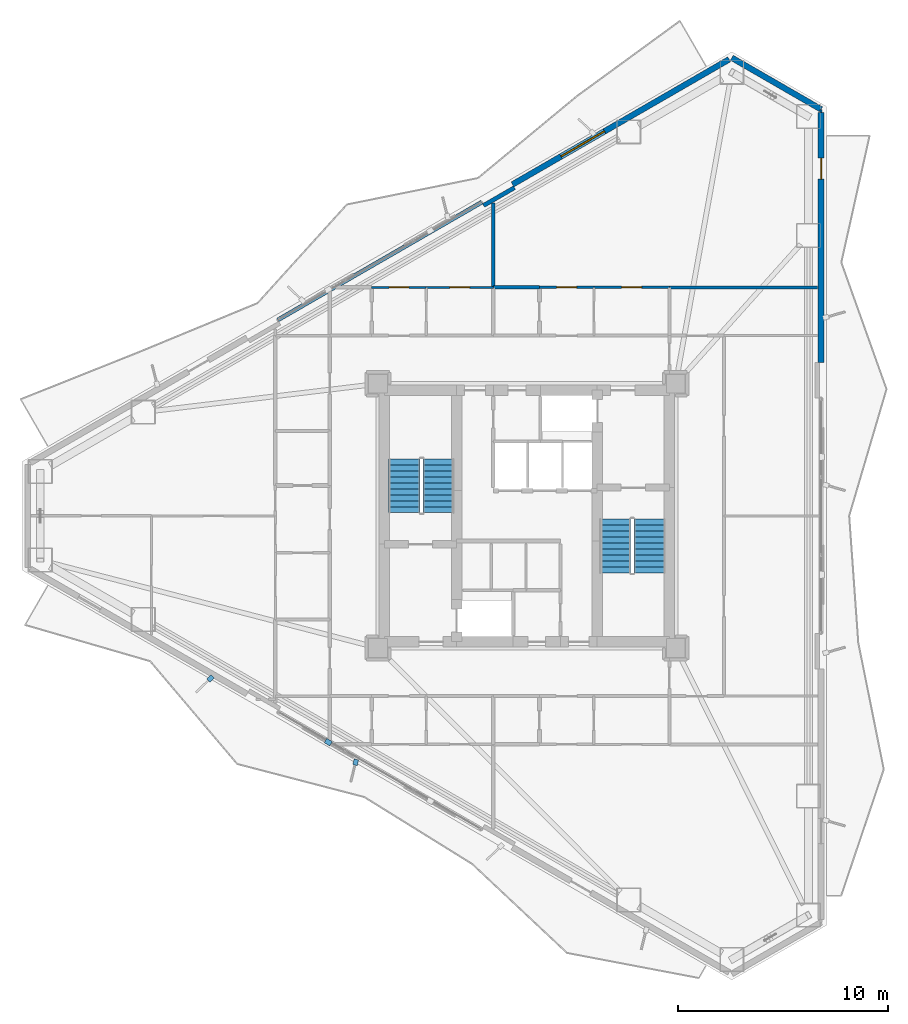
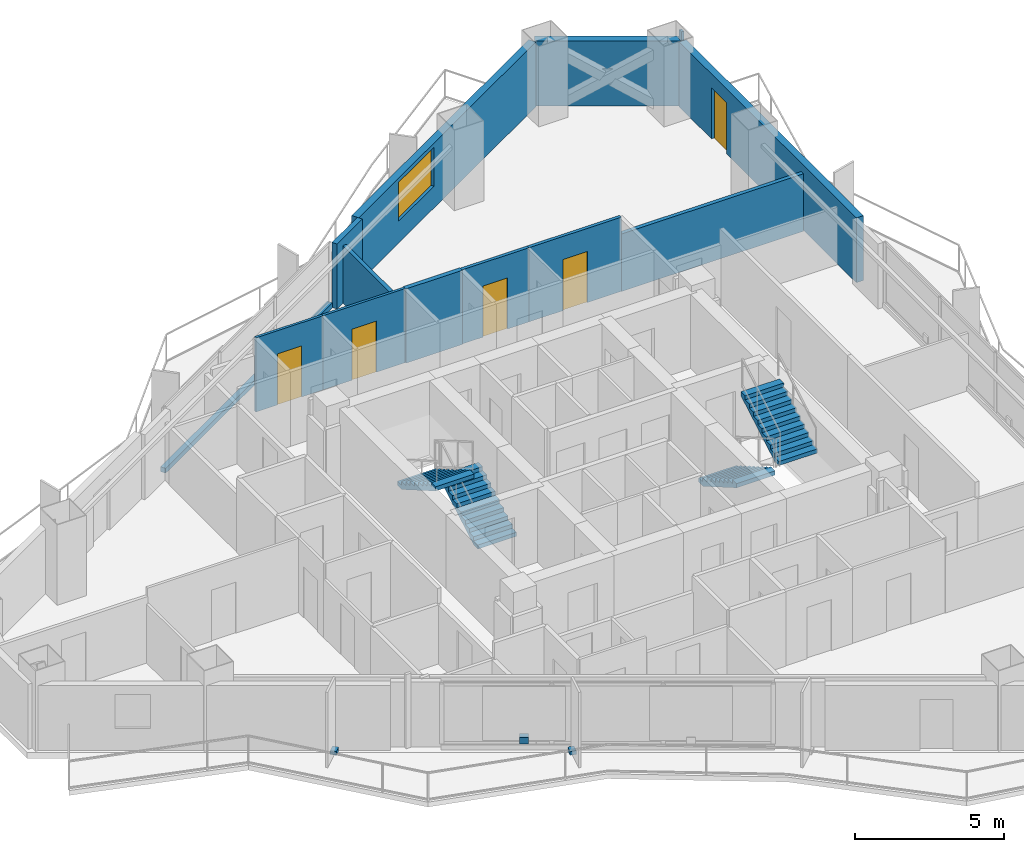
# One storey, part 20 of 23: 13 walls, 5 doors, 4 stair flights, 3 discrete accessories, 1 window, 6 openings, 2 elements without a shape of their own.
"""IFC4 building model written with IfcOpenShell, lengths in metres."""

from ifc_helpers import new_model, si_unit, direction, frame, frame_2d, origin, origin_2d, place, context, subcontext, project, spatial, polyline, rectangle, outline, extrude, material, layer, layer_set, type_object, element, fill, aggregate, save


model = new_model("IFC4")

# Units and contexts
model_context = context("Model", 3, precision=1e-05, world=origin(), true_north=direction((0.0, 1.0)))
body_context = subcontext(model_context, "Body", "Model", "MODEL_VIEW")
ifc_project = project(units=[si_unit("LENGTHUNIT", "METRE"), si_unit("AREAUNIT", "SQUARE_METRE"), si_unit("VOLUMEUNIT", "CUBIC_METRE"), si_unit("PLANEANGLEUNIT", "RADIAN"), si_unit("MASSUNIT", "GRAM", prefix="KILO")], contexts=[model_context])

# Site, building, storey
site_placement = place(None, origin())
site = spatial("IfcSite", under=ifc_project, at=site_placement, CompositionType="ELEMENT")
building_placement = place(site_placement, origin())
building = spatial("IfcBuilding", under=site, at=building_placement, Name="Mersakhor Tower and Convention Hall", CompositionType="ELEMENT")
storey_placement = place(building_placement, frame((0.0, 0.0, 93.300048828125)))
storey = spatial("IfcBuildingStorey", under=building, at=storey_placement, Name="L25", CompositionType="ELEMENT", Elevation=93.300048828125)

# Wall
ifc_material_1 = material(Name="Precast concrete C45/55", Category="concrete")
ifc_layer_1 = layer(ifc_material_1, 0.27490234375)
ifc_layer_set_1 = layer_set([ifc_layer_1], Name="Precast concrete C45/55")
wall_type_1 = type_object("IfcWallType", Name="WL-EXT-275", PredefinedType="SOLIDWALL", material=ifc_layer_set_1)
wall_1_placement = place(storey_placement, frame((38.77880859375, 48.6015625, 0.0), z_axis=(0.0, 0.0, 1.0), x_axis=(0.866011848704, -0.500023477353, 0.0)))
element("IfcWall", 1, at=wall_1_placement, inside=storey, type_object=wall_type_1, Name="L25 Chamfer Braced Spandrel Wall C1", PredefinedType="SOLIDWALL", context=body_context, shape_type="SweptSolid", body=[
    extrude(rectangle(XDim=4.914306640625, YDim=0.27490234375, at=frame_2d((2.45703125, 0.0))), origin(), (0.0, 0.0, 1.0), 2.669921875),
])

# Wall, opening, window
wall_2_placement = place(storey_placement, frame((28.3173828125, 42.561767578125, 0.0), z_axis=(0.0, 0.0, 1.0), x_axis=(0.866023023012, 0.500004123596, 0.0)))
wall_2 = element("IfcWall", 2, at=wall_2_placement, inside=storey, type_object=wall_type_1, Name="L25 Exterior Facade Wall F1-B3", PredefinedType="SOLIDWALL", context=body_context, shape_type="SweptSolid", body=[
    extrude(rectangle(XDim=11.9296875, YDim=0.27490234375, at=frame_2d((5.96484375, 0.0))), origin(), (0.0, 0.0, 1.0), 2.669921875),
])
opening_1_placement = place(wall_2_placement, frame((2.66796875, 0.0, 0.89990234375)))
opening_1 = element("IfcOpeningElement", 3, at=opening_1_placement, cuts=wall_2, Name="Opening W-05", PredefinedType="OPENING", context=body_context, shape_type="SweptSolid", body=[
    extrude(rectangle(XDim=2.39990234375, YDim=1.60009765625, at=frame_2d((1.199951171875, 0.800048828125))), frame((0.0, 0.1474609375, 0.0), z_axis=(0.0, -1.0, 0.0), x_axis=(1.0, 0.0, 0.0)), (0.0, 0.0, 1.0), 0.294921875),
])
ifc_material_2 = material(Name="Dark solar low-E glazed aluminium window", Category="aluminium")
window_type = type_object("IfcWindowType", Name="WN-RES-240x160", PartitioningType="SINGLE_PANEL", PredefinedType="WINDOW", material=ifc_material_2)
window_placement = place(opening_1_placement, origin())
window = element("IfcWindow", 4, at=window_placement, inside=storey, type_object=window_type, Name="L25 Facade Punched Window F1-B3", OverallHeight=1.60009765625, OverallWidth=2.39990234375, PartitioningType="SINGLE_PANEL", PredefinedType="WINDOW", context=body_context, shape_type="SweptSolid", body=[
    extrude(rectangle(XDim=2.39990234375, YDim=1.60009765625, at=frame_2d((1.199951171875, 0.800048828125))), frame((0.0, 0.030029296875, 0.0), z_axis=(0.0, -1.0, 0.0), x_axis=(1.0, 0.0, 0.0)), (0.0, 0.0, 1.0), 0.06005859375),
])
fill(opening_1, window)

# Wall, opening, door
wall_3_placement = place(storey_placement, frame((43.03466796875, 45.994384765625, 0.0), z_axis=(0.0, 0.0, 1.0), x_axis=(0.0, -1.0, 0.0)))
wall_3 = element("IfcWall", 5, at=wall_3_placement, inside=storey, type_object=wall_type_1, Name="L25 Exterior Facade Wall F2-B1", PredefinedType="SOLIDWALL", context=body_context, shape_type="SweptSolid", body=[
    extrude(rectangle(XDim=11.9296875, YDim=0.27490234375, at=frame_2d((5.96484375, 0.0))), origin(), (0.0, 0.0, 1.0), 2.669921875),
])
opening_2_placement = place(wall_3_placement, frame((2.176025390625, 0.0, 0.0)))
opening_2 = element("IfcOpeningElement", 6, at=opening_2_placement, cuts=wall_3, Name="Opening BD-01", PredefinedType="OPENING", context=body_context, shape_type="SweptSolid", body=[
    extrude(rectangle(XDim=1.0, YDim=2.10009765625, at=frame_2d((0.5, 1.050048828125))), frame((0.0, 0.1474609375, 0.0), z_axis=(0.0, -1.0, 0.0), x_axis=(1.0, 0.0, 0.0)), (0.0, 0.0, 1.0), 0.294921875),
])
ifc_material_3 = material(Name="Thermally broken dark aluminium and safety glass", Category="aluminium")
door_type_1 = type_object("IfcDoorType", Name="DR-BAL-100x210", OperationType="NOTDEFINED", PredefinedType="DOOR", material=ifc_material_3)
door_1_placement = place(opening_2_placement, origin())
door_1 = element("IfcDoor", 7, at=door_1_placement, inside=storey, type_object=door_type_1, Name="L25 Balcony Terrace Door F2-B1", OperationType="SINGLE_SWING_LEFT", OverallHeight=2.10009765625, OverallWidth=1.0, PredefinedType="DOOR", context=body_context, shape_type="SweptSolid", body=[
    extrude(rectangle(XDim=1.0, YDim=2.10009765625, at=frame_2d((0.5, 1.050048828125))), frame((0.0, 0.02490234375, 0.0), z_axis=(0.0, -1.0, 0.0), x_axis=(1.0, 0.0, 0.0)), (0.0, 0.0, 1.0), 0.050048828125),
])
fill(opening_2, door_1)

# Walls
ifc_material_4 = material(Name="Precast concrete C40/50", Category="concrete")
ifc_layer_2 = layer(ifc_material_4, 0.199951171875)
ifc_layer_set_2 = layer_set([ifc_layer_2], Name="Precast concrete C40/50")
wall_type_2 = type_object("IfcWallType", Name="WL-PAR-200", PredefinedType="PARAPET", material=ifc_layer_set_2)
wall_4_placement = place(storey_placement, frame((17.1201171875, 36.096923828125, 0.0), z_axis=(0.0, 0.0, 1.0), x_axis=(0.866027010039, 0.499997217876, 0.0)))
element("IfcWall", 8, at=wall_4_placement, inside=storey, type_object=wall_type_2, Name="L25 Curtain Wall Upstand Sill F1-B2", PredefinedType="PARAPET", context=body_context, shape_type="SweptSolid", body=[
    extrude(rectangle(XDim=11.2294921875, YDim=0.199951171875, at=frame_2d((5.61474609375, 0.0))), origin(), (0.0, 0.0, 1.0), 0.199951171875),
])
wall_5_placement = place(storey_placement, frame((26.935302734375, 41.555908203125, 0.0), z_axis=(0.0, 0.0, 1.0), x_axis=(0.86605165483, 0.499954529098, 0.0)))
element("IfcWall", 9, at=wall_5_placement, inside=storey, type_object=wall_type_2, Name="L25 Column Pier Cladding Wall F1-C2", PredefinedType="PARAPET", context=body_context, shape_type="SweptSolid", body=[
    extrude(rectangle(XDim=1.699951171875, YDim=0.199951171875, at=frame_2d((0.85009765625, 0.0))), origin(), (0.0, 0.0, 1.0), 2.669921875),
])
ifc_material_5 = material(Name="Moisture-resistant acoustic drywall studwork", Category="other")
ifc_layer_3 = layer(ifc_material_5, 0.175048828125)
ifc_layer_set_3 = layer_set([ifc_layer_3], Name="Moisture-resistant acoustic drywall studwork")
wall_type_3 = type_object("IfcWallType", Name="WL-PLM-175", PredefinedType="PLUMBINGWALL", material=ifc_layer_set_3)
wall_6_placement = place(storey_placement, frame((27.39990234375, 37.64990234375, 0.0), z_axis=(0.0, 0.0, 1.0), x_axis=(1.0, 0.0, 0.0)))
element("IfcWall", 10, at=wall_6_placement, inside=storey, type_object=wall_type_3, Name="L25 Interior Partition Wall P-080", PredefinedType="PLUMBINGWALL", context=body_context, shape_type="SweptSolid", body=[
    extrude(rectangle(XDim=2.2001953125, YDim=0.175048828125, at=frame_2d((1.10009765625, 0.0))), origin(), (0.0, 0.0, 1.0), 3.050048828125),
])

# Wall, opening, door
ifc_material_6 = material(Name="Lightweight gypsum partition", Category="other")
ifc_layer_4 = layer(ifc_material_6, 0.10009765625)
ifc_layer_set_4 = layer_set([ifc_layer_4], Name="Lightweight gypsum partition")
wall_type_4 = type_object("IfcWallType", Name="WL-PRT-100", PredefinedType="PARTITIONING", material=ifc_layer_set_4)
wall_7_placement = place(storey_placement, frame((21.60009765625, 37.64990234375, 0.0), z_axis=(0.0, 0.0, 1.0), x_axis=(1.0, 0.0, 0.0)))
wall_7 = element("IfcWall", 11, at=wall_7_placement, inside=storey, type_object=wall_type_4, Name="L25 Interior Partition Wall P-060", PredefinedType="PARTITIONING", context=body_context, shape_type="SweptSolid", body=[
    extrude(rectangle(XDim=2.599853515625, YDim=0.10009765625, at=frame_2d((1.2998046875, 0.0))), origin(), (0.0, 0.0, 1.0), 3.050048828125),
])
opening_3_placement = place(wall_7_placement, frame((0.824951171875, 0.0, 0.0)))
opening_3 = element("IfcOpeningElement", 12, at=opening_3_placement, cuts=wall_7, Name="Opening RD-01", PredefinedType="OPENING", context=body_context, shape_type="SweptSolid", body=[
    extrude(rectangle(XDim=0.949951171875, YDim=2.10009765625, at=frame_2d((0.47509765625, 1.050048828125))), frame((0.0, 0.06005859375, 0.0), z_axis=(0.0, -1.0, 0.0), x_axis=(1.0, 0.0, 0.0)), (0.0, 0.0, 1.0), 0.1201171875),
])
ifc_material_7 = material(Name="Solid-core hardwood leaf in painted steel frame", Category="steel")
door_type_2 = type_object("IfcDoorType", Name="DR-INT-RM-095x210", OperationType="NOTDEFINED", PredefinedType="DOOR", material=ifc_material_7)
door_2_placement = place(opening_3_placement, origin())
door_2 = element("IfcDoor", 13, at=door_2_placement, inside=storey, type_object=door_type_2, Name="L25 L25 Flat N1 Apartment Hall to L25 Flat N1 Studio Living and Sleeping Room Door", OperationType="SINGLE_SWING_LEFT", OverallHeight=2.10009765625, OverallWidth=0.949951171875, PredefinedType="DOOR", context=body_context, shape_type="SweptSolid", body=[
    extrude(rectangle(XDim=0.949951171875, YDim=2.10009765625, at=frame_2d((0.47509765625, 1.050048828125))), frame((0.0, 0.02490234375, 0.0), z_axis=(0.0, -1.0, 0.0), x_axis=(1.0, 0.0, 0.0)), (0.0, 0.0, 1.0), 0.050048828125),
])
fill(opening_3, door_2)

wall_8_placement = place(storey_placement, frame((24.199951171875, 37.64990234375, 0.0), z_axis=(0.0, 0.0, 1.0), x_axis=(1.0, 0.0, 0.0)))
wall_8 = element("IfcWall", 14, at=wall_8_placement, inside=storey, type_object=wall_type_4, Name="L25 Interior Partition Wall P-078", PredefinedType="PARTITIONING", context=body_context, shape_type="SweptSolid", body=[
    extrude(rectangle(XDim=3.199951171875, YDim=0.10009765625, at=frame_2d((1.60009765625, 0.0))), origin(), (0.0, 0.0, 1.0), 3.050048828125),
])
opening_4_placement = place(wall_8_placement, frame((1.125, 0.0, 0.0)))
opening_4 = element("IfcOpeningElement", 15, at=opening_4_placement, cuts=wall_8, Name="Opening RD-01", PredefinedType="OPENING", context=body_context, shape_type="SweptSolid", body=[
    extrude(rectangle(XDim=0.949951171875, YDim=2.10009765625, at=frame_2d((0.47509765625, 1.050048828125))), frame((0.0, 0.06005859375, 0.0), z_axis=(0.0, -1.0, 0.0), x_axis=(1.0, 0.0, 0.0)), (0.0, 0.0, 1.0), 0.1201171875),
])
door_3_placement = place(opening_4_placement, origin())
door_3 = element("IfcDoor", 16, at=door_3_placement, inside=storey, type_object=door_type_2, Name="L25 L25 Flat N1 Kitchen to L25 Flat N1 Studio Living and Sleeping Room Door", OperationType="SINGLE_SWING_LEFT", OverallHeight=2.10009765625, OverallWidth=0.949951171875, PredefinedType="DOOR", context=body_context, shape_type="SweptSolid", body=[
    extrude(rectangle(XDim=0.949951171875, YDim=2.10009765625, at=frame_2d((0.47509765625, 1.050048828125))), frame((0.0, 0.02490234375, 0.0), z_axis=(0.0, -1.0, 0.0), x_axis=(1.0, 0.0, 0.0)), (0.0, 0.0, 1.0), 0.050048828125),
])
fill(opening_4, door_3)

# Wall
wall_9_placement = place(storey_placement, frame((43.034912109375, 46.14404296875, 0.0), z_axis=(0.0, 0.0, 1.0), x_axis=(0.0, -1.0, 0.0)))
element("IfcWall", 17, at=wall_9_placement, inside=storey, type_object=wall_type_4, Name="L25 Interior Partition Wall P-104", PredefinedType="PARTITIONING", context=body_context, shape_type="SweptSolid", body=[
    extrude(rectangle(XDim=0.149658203125, YDim=0.10009765625, at=frame_2d((0.07470703125, 0.0))), origin(), (0.0, 0.0, 1.0), 3.050048828125),
])

# Wall, opening, door
ifc_material_8 = material(Name="Gypsum board acoustic partition", Category="other")
ifc_layer_5 = layer(ifc_material_8, 0.125)
ifc_layer_set_5 = layer_set([ifc_layer_5], Name="Gypsum board acoustic partition")
wall_type_5 = type_object("IfcWallType", Name="WL-PRT-125", PredefinedType="PARTITIONING", material=ifc_layer_set_5)
wall_10_placement = place(storey_placement, frame((29.60009765625, 37.64990234375, 0.0), z_axis=(0.0, 0.0, 1.0), x_axis=(1.0, 0.0, 0.0)))
wall_10 = element("IfcWall", 18, at=wall_10_placement, inside=storey, type_object=wall_type_5, Name="L25 Interior Partition Wall P-063", PredefinedType="PARTITIONING", context=body_context, shape_type="SweptSolid", body=[
    extrude(rectangle(XDim=2.599853515625, YDim=0.125, at=frame_2d((1.2998046875, 0.0))), origin(), (0.0, 0.0, 1.0), 3.050048828125),
])
opening_5_placement = place(wall_10_placement, frame((0.824951171875, 0.0, 0.0)))
opening_5 = element("IfcOpeningElement", 19, at=opening_5_placement, cuts=wall_10, Name="Opening RD-01", PredefinedType="OPENING", context=body_context, shape_type="SweptSolid", body=[
    extrude(rectangle(XDim=0.949951171875, YDim=2.10009765625, at=frame_2d((0.47509765625, 1.050048828125))), frame((0.0, 0.072509765625, 0.0), z_axis=(0.0, -1.0, 0.0), x_axis=(1.0, 0.0, 0.0)), (0.0, 0.0, 1.0), 0.14501953125),
])
door_4_placement = place(opening_5_placement, origin())
door_4 = element("IfcDoor", 20, at=door_4_placement, inside=storey, type_object=door_type_2, Name="L25 L25 Flat N2 Apartment Hall to L25 Flat N2 Studio Living and Sleeping Room Door", OperationType="SINGLE_SWING_RIGHT", OverallHeight=2.10009765625, OverallWidth=0.949951171875, PredefinedType="DOOR", context=body_context, shape_type="SweptSolid", body=[
    extrude(rectangle(XDim=0.949951171875, YDim=2.10009765625, at=frame_2d((0.47509765625, 1.050048828125))), frame((0.0, 0.02490234375, 0.0), z_axis=(0.0, -1.0, 0.0), x_axis=(1.0, 0.0, 0.0)), (0.0, 0.0, 1.0), 0.050048828125),
])
fill(opening_5, door_4)

wall_11_placement = place(storey_placement, frame((32.199951171875, 37.64990234375, 0.0), z_axis=(0.0, 0.0, 1.0), x_axis=(1.0, 0.0, 0.0)))
wall_11 = element("IfcWall", 21, at=wall_11_placement, inside=storey, type_object=wall_type_5, Name="L25 Interior Partition Wall P-081", PredefinedType="PARTITIONING", context=body_context, shape_type="SweptSolid", body=[
    extrude(rectangle(XDim=3.60009765625, YDim=0.125, at=frame_2d((1.800048828125, 0.0))), origin(), (0.0, 0.0, 1.0), 3.050048828125),
])
opening_6_placement = place(wall_11_placement, frame((1.324951171875, 0.0, 0.0)))
opening_6 = element("IfcOpeningElement", 22, at=opening_6_placement, cuts=wall_11, Name="Opening RD-01", PredefinedType="OPENING", context=body_context, shape_type="SweptSolid", body=[
    extrude(rectangle(XDim=0.949951171875, YDim=2.10009765625, at=frame_2d((0.47509765625, 1.050048828125))), frame((0.0, 0.072509765625, 0.0), z_axis=(0.0, -1.0, 0.0), x_axis=(1.0, 0.0, 0.0)), (0.0, 0.0, 1.0), 0.14501953125),
])
door_5_placement = place(opening_6_placement, origin())
door_5 = element("IfcDoor", 23, at=door_5_placement, inside=storey, type_object=door_type_2, Name="L25 L25 Flat N2 Kitchen to L25 Flat N2 Studio Living and Sleeping Room Door", OperationType="SINGLE_SWING_RIGHT", OverallHeight=2.10009765625, OverallWidth=0.949951171875, PredefinedType="DOOR", context=body_context, shape_type="SweptSolid", body=[
    extrude(rectangle(XDim=0.949951171875, YDim=2.10009765625, at=frame_2d((0.47509765625, 1.050048828125))), frame((0.0, 0.02490234375, 0.0), z_axis=(0.0, -1.0, 0.0), x_axis=(1.0, 0.0, 0.0)), (0.0, 0.0, 1.0), 0.050048828125),
])
fill(opening_6, door_5)

# Walls
ifc_material_9 = material(Name="Fire-rated gypsum board stud partition", Category="other")
ifc_layer_6 = layer(ifc_material_9, 0.14990234375)
ifc_layer_set_6 = layer_set([ifc_layer_6], Name="Fire-rated gypsum board stud partition")
wall_type_6 = type_object("IfcWallType", Name="WL-PRT-150", PredefinedType="PARTITIONING", material=ifc_layer_set_6)
wall_12_placement = place(storey_placement, frame((35.800048828125, 37.64990234375, 0.0), z_axis=(0.0, 0.0, 1.0), x_axis=(1.0, 0.0, 0.0)))
element("IfcWall", 24, at=wall_12_placement, inside=storey, type_object=wall_type_6, Name="L25 Interior Partition Wall P-095", PredefinedType="PARTITIONING", context=body_context, shape_type="SweptSolid", body=[
    extrude(rectangle(XDim=7.072998046875, YDim=0.14990234375, at=frame_2d((3.53662109375, 0.0))), origin(), (0.0, 0.0, 1.0), 2.364990234375),
])
wall_13_placement = place(storey_placement, frame((27.39990234375, 41.680908203125, 0.0), z_axis=(0.0, 0.0, 1.0), x_axis=(0.0, -1.0, 0.0)))
element("IfcWall", 25, at=wall_13_placement, inside=storey, type_object=wall_type_6, Name="L25 Interior Partition Wall P-103", PredefinedType="PARTITIONING", context=body_context, shape_type="SweptSolid", body=[
    extrude(rectangle(XDim=4.031005859375, YDim=0.14990234375, at=frame_2d((2.015625, 0.0))), origin(), (0.0, 0.0, 1.0), 2.364990234375),
])

# Stair, stair flights
ifc_material_10 = material(Name="Concrete C45/55", Category="concrete")
stair_type = type_object("IfcStairType", Name="ST-TWR-20R", PredefinedType="HALF_TURN_STAIR", material=ifc_material_10)
stair_1_placement = place(storey_placement, origin())
stair_1 = element("IfcStair", 26, at=stair_1_placement, inside=storey, type_object=stair_type, Name="L25 Tower Protected Exit Stair ST-1", PredefinedType="HALF_TURN_STAIR")
ifc_material_11 = material(Name="Concrete C45/55", Category="concrete")
stair_flight_type = type_object("IfcStairFlightType", Name="SFL-TWR-20R", PredefinedType="STRAIGHT", material=ifc_material_11)
stair_flight_1_placement = place(storey_placement, frame((24.800048828125, 26.89990234375, 0.0), z_axis=(0.0, 0.0, 1.0), x_axis=(0.0, 1.0, 0.0)))
stair_flight_1 = element("IfcStairFlight", 27, at=stair_flight_1_placement, type_object=stair_flight_type, Name="ST-1 flight 1", NumberOfRisers=10, NumberOfTreads=9, PredefinedType="STRAIGHT", RiserHeight=0.165, TreadLength=0.285, context=body_context, shape_type="SweptSolid", body=[
    extrude(outline(polyline([(0.0, 0.0), (0.0, 0.1650390625), (0.284912109375, 0.1650390625), (0.284912109375, 0.330078125), (0.570068359375, 0.330078125), (0.570068359375, 0.4951171875), (0.85498046875, 0.4951171875), (0.85498046875, 0.659912109375), (1.139892578125, 0.659912109375), (1.139892578125, 0.824951171875), (1.425048828125, 0.824951171875), (1.425048828125, 0.989990234375), (1.7099609375, 0.989990234375), (1.7099609375, 1.155029296875), (1.9951171875, 1.155029296875), (1.9951171875, 1.320068359375), (2.280029296875, 1.320068359375), (2.280029296875, 1.485107421875), (2.56494140625, 1.485107421875), (2.56494140625, 1.64990234375), (2.56494140625, 1.311767578125), (0.299072265625, 0.0), (0.0, 0.0)])), frame((0.0, 0.75, 0.0), z_axis=(0.0, -1.0, 0.0), x_axis=(1.0, 0.0, 0.0)), (0.0, 0.0, 1.0), 1.5),
])
stair_flight_2_placement = place(storey_placement, frame((23.14990234375, 29.465087890625, 1.64990234375), z_axis=(0.0, 0.0, 1.0), x_axis=(0.0, -1.0, 0.0)))
stair_flight_2 = element("IfcStairFlight", 28, at=stair_flight_2_placement, type_object=stair_flight_type, Name="ST-1 flight 2", NumberOfRisers=10, NumberOfTreads=9, PredefinedType="STRAIGHT", RiserHeight=0.165, TreadLength=0.285, context=body_context, shape_type="SweptSolid", body=[
    extrude(outline(polyline([(0.0, 0.0), (0.0, 0.1650390625), (0.284912109375, 0.1650390625), (0.284912109375, 0.330078125), (0.570068359375, 0.330078125), (0.570068359375, 0.4951171875), (0.85498046875, 0.4951171875), (0.85498046875, 0.659912109375), (1.139892578125, 0.659912109375), (1.139892578125, 0.824951171875), (1.425048828125, 0.824951171875), (1.425048828125, 0.989990234375), (1.7099609375, 0.989990234375), (1.7099609375, 1.155029296875), (1.9951171875, 1.155029296875), (1.9951171875, 1.320068359375), (2.280029296875, 1.320068359375), (2.280029296875, 1.485107421875), (2.56494140625, 1.485107421875), (2.56494140625, 1.64990234375), (2.56494140625, 1.311767578125), (0.299072265625, 0.0), (0.0, 0.0)])), frame((0.0, 0.75, 0.0), z_axis=(0.0, -1.0, 0.0), x_axis=(1.0, 0.0, 0.0)), (0.0, 0.0, 1.0), 1.5),
])
aggregate(stair_1, [stair_flight_1, stair_flight_2])

stair_2_placement = place(storey_placement, origin())
stair_2 = element("IfcStair", 29, at=stair_2_placement, inside=storey, type_object=stair_type, Name="L25 Tower Protected Exit Stair ST-2", PredefinedType="HALF_TURN_STAIR")
stair_flight_3_placement = place(storey_placement, frame((33.199951171875, 26.60009765625, 0.0), z_axis=(0.0, 0.0, 1.0), x_axis=(0.0, -1.0, 0.0)))
stair_flight_3 = element("IfcStairFlight", 30, at=stair_flight_3_placement, type_object=stair_flight_type, Name="ST-2 flight 1", NumberOfRisers=10, NumberOfTreads=9, PredefinedType="STRAIGHT", RiserHeight=0.165, TreadLength=0.285, context=body_context, shape_type="SweptSolid", body=[
    extrude(outline(polyline([(0.0, 0.0), (0.0, 0.1650390625), (0.284912109375, 0.1650390625), (0.284912109375, 0.330078125), (0.570068359375, 0.330078125), (0.570068359375, 0.4951171875), (0.85498046875, 0.4951171875), (0.85498046875, 0.659912109375), (1.139892578125, 0.659912109375), (1.139892578125, 0.824951171875), (1.425048828125, 0.824951171875), (1.425048828125, 0.989990234375), (1.7099609375, 0.989990234375), (1.7099609375, 1.155029296875), (1.9951171875, 1.155029296875), (1.9951171875, 1.320068359375), (2.280029296875, 1.320068359375), (2.280029296875, 1.485107421875), (2.56494140625, 1.485107421875), (2.56494140625, 1.64990234375), (2.56494140625, 1.311767578125), (0.299072265625, 0.0), (0.0, 0.0)])), frame((0.0, 0.75, 0.0), z_axis=(0.0, -1.0, 0.0), x_axis=(1.0, 0.0, 0.0)), (0.0, 0.0, 1.0), 1.5),
])
stair_flight_4_placement = place(storey_placement, frame((34.85009765625, 24.034912109375, 1.64990234375), z_axis=(0.0, 0.0, 1.0), x_axis=(0.0, 1.0, 0.0)))
stair_flight_4 = element("IfcStairFlight", 31, at=stair_flight_4_placement, type_object=stair_flight_type, Name="ST-2 flight 2", NumberOfRisers=10, NumberOfTreads=9, PredefinedType="STRAIGHT", RiserHeight=0.165, TreadLength=0.285, context=body_context, shape_type="SweptSolid", body=[
    extrude(outline(polyline([(0.0, 0.0), (0.0, 0.1650390625), (0.284912109375, 0.1650390625), (0.284912109375, 0.330078125), (0.570068359375, 0.330078125), (0.570068359375, 0.4951171875), (0.85498046875, 0.4951171875), (0.85498046875, 0.659912109375), (1.139892578125, 0.659912109375), (1.139892578125, 0.824951171875), (1.425048828125, 0.824951171875), (1.425048828125, 0.989990234375), (1.7099609375, 0.989990234375), (1.7099609375, 1.155029296875), (1.9951171875, 1.155029296875), (1.9951171875, 1.320068359375), (2.280029296875, 1.320068359375), (2.280029296875, 1.485107421875), (2.56494140625, 1.485107421875), (2.56494140625, 1.64990234375), (2.56494140625, 1.311767578125), (0.299072265625, 0.0), (0.0, 0.0)])), frame((0.0, 0.75, 0.0), z_axis=(0.0, -1.0, 0.0), x_axis=(1.0, 0.0, 0.0)), (0.0, 0.0, 1.0), 1.5),
])
aggregate(stair_2, [stair_flight_3, stair_flight_4])

# Discrete accessories
ifc_material_12 = material(Name="Galvanised steel bracket", Category="steel")
ifc_layer_7 = layer(ifc_material_12, 0.02001953125)
ifc_layer_set_7 = layer_set([ifc_layer_7], Name="Galvanised steel bracket")
discrete_accessory_type = type_object("IfcDiscreteAccessoryType", Name="ACC-BRK-STL", PredefinedType="BRACKET", material=ifc_layer_set_7)
discrete_accessory_placement = place(storey_placement, frame((19.526611328125, 15.9560546875, 0.2900390625), z_axis=(0.0, 0.0, 1.0), x_axis=(-0.866025403784, 0.5, 0.0)))
element("IfcDiscreteAccessory", 32, at=discrete_accessory_placement, inside=storey, type_object=discrete_accessory_type, Name="L25 Solar Screen Outrigger Bracket BRK-3-2", PredefinedType="BRACKET", context=body_context, shape_type="SweptSolid", body=[
    extrude(rectangle(XDim=0.300048828125, YDim=0.239990234375, at=origin_2d()), origin(), (0.0, 0.0, 1.0), 0.260009765625),
])
for number, where, z_axis, x_axis, name in (
    (33, (20.8330078125, 14.993896484375, -0.02001953125), (0.0, 0.0, 1.0), (-0.2419218956, -0.970295726276, 0.0), "L25 Facade Fin Base Cleat Bracket FBRK-3-3"),
    (34, (13.90478515625, 18.993896484375, -0.02001953125), (0.0, 0.0, 1.0), (-0.719339800339, -0.694658370459, 0.0), "L25 Facade Fin Base Cleat Bracket FBRK-3-4"),
):
    element("IfcDiscreteAccessory", number, at=place(storey_placement, frame(where, z_axis=z_axis, x_axis=x_axis)), inside=storey, type_object=discrete_accessory_type, Name=name, PredefinedType="BRACKET", context=body_context, shape_type="SweptSolid", body=[
        extrude(rectangle(XDim=0.280029296875, YDim=0.219970703125, at=origin_2d()), origin(), (0.0, 0.0, 1.0), 0.159912109375),
    ])

save(model, "model.ifc")
